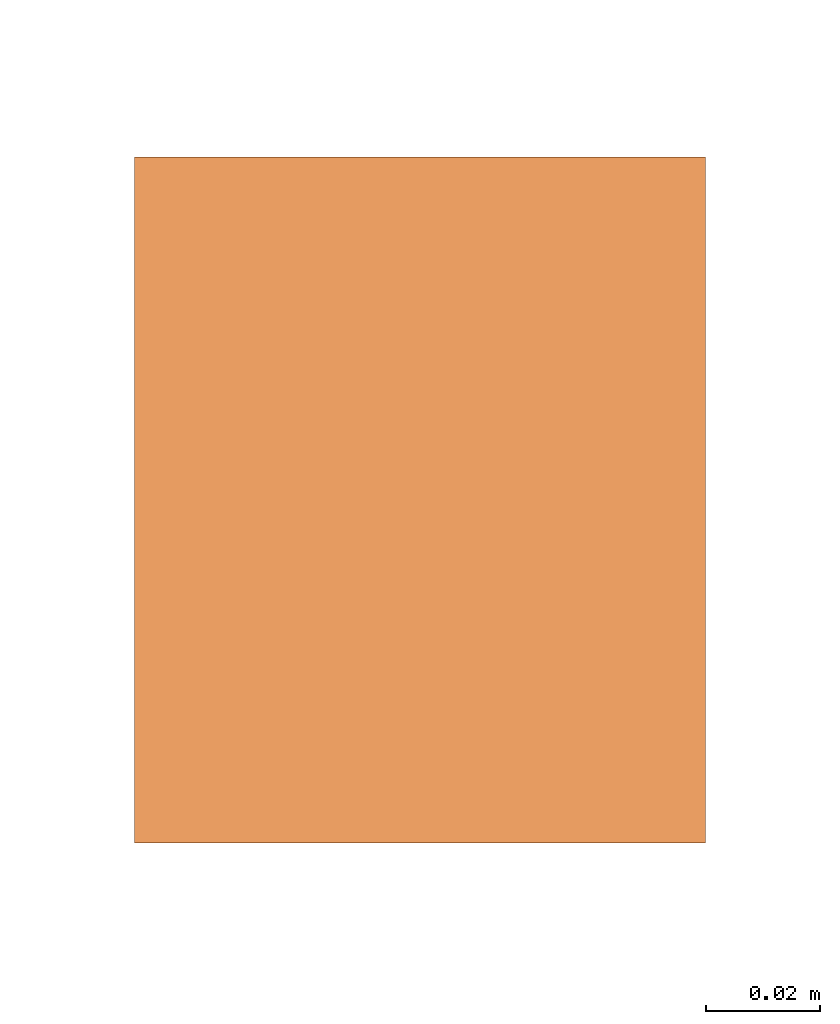
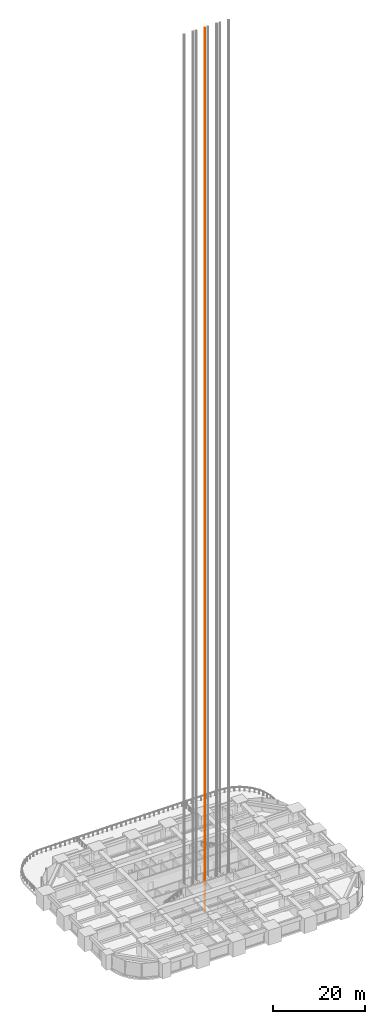
# One storey, part 46 of 50: 1 proxy.
"""IFC4 building model written with IfcOpenShell, lengths in metres."""

from ifc_helpers import new_model, si_unit, direction, frame, origin, origin_2d, place, context, subcontext, project, spatial, rectangle, extrude, element, save


model = new_model("IFC4")

# Units and contexts
model_context = context("Model", 3, precision=1e-05, world=origin(), true_north=direction((0.0, 1.0)))
body_context = subcontext(model_context, "Body", "Model", "MODEL_VIEW")
ifc_project = project(units=[si_unit("LENGTHUNIT", "METRE"), si_unit("AREAUNIT", "SQUARE_METRE"), si_unit("VOLUMEUNIT", "CUBIC_METRE"), si_unit("PLANEANGLEUNIT", "RADIAN"), si_unit("MASSUNIT", "GRAM", prefix="KILO")], contexts=[model_context])

# Site, building, storey
site_placement = place(None, origin())
site = spatial("IfcSite", under=ifc_project, at=site_placement, CompositionType="ELEMENT")
building_placement = place(site_placement, origin())
building = spatial("IfcBuilding", under=site, at=building_placement, Name="Zorevar Civic Tower", CompositionType="ELEMENT")
storey_placement = place(building_placement, frame((0.0, 0.0, 85.0)))
storey = spatial("IfcBuildingStorey", under=building, at=storey_placement, Name="L20", CompositionType="ELEMENT", Elevation=85.0)

# Proxy
proxy_placement = place(storey_placement, frame((32.60009765625, 23.10009765625, -5.0), z_axis=(0.0, 0.0, 1.0), x_axis=(1.0, 0.0, 0.0)))
element("IfcBuildingElementProxy", 1, at=proxy_placement, inside=storey, Name="Passenger lift LT2 guide rail 2", PredefinedType="NOTDEFINED", context=body_context, shape_type="SweptSolid", body=[
    extrude(rectangle(XDim=0.10009765625, YDim=0.1201171875, at=origin_2d()), origin(), (0.0, 0.0, 1.0), 235.300048828125),
])

save(model, "model.ifc")
